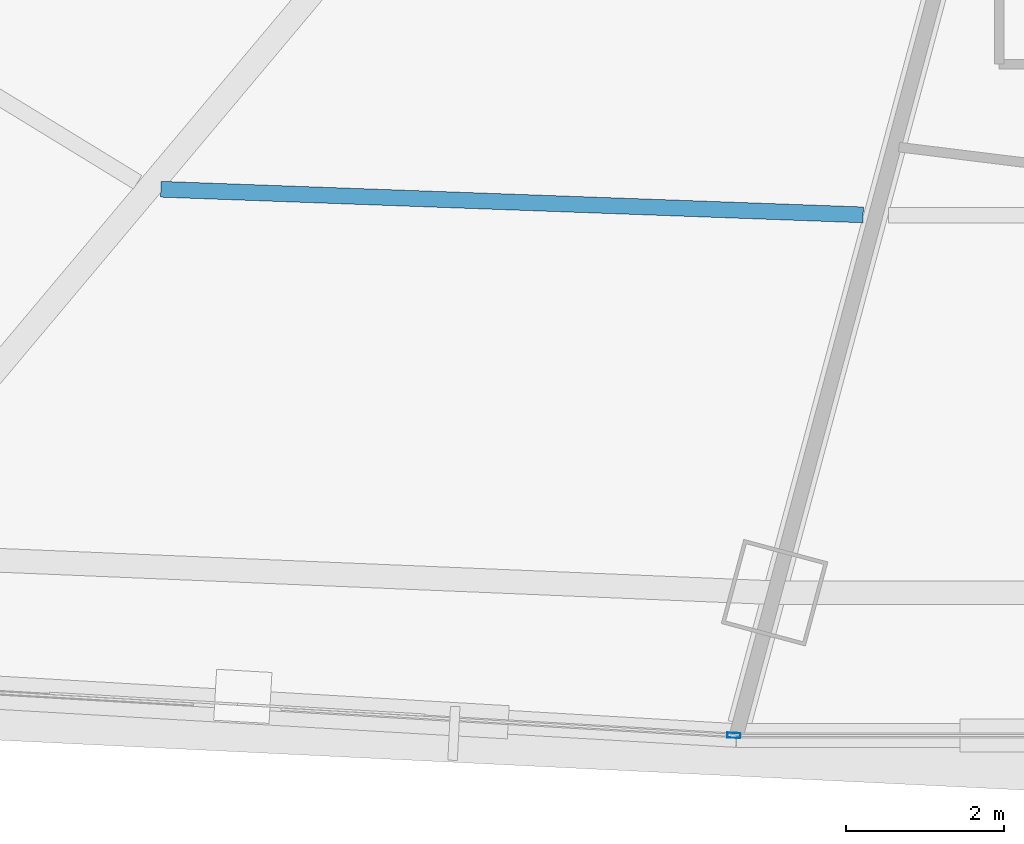
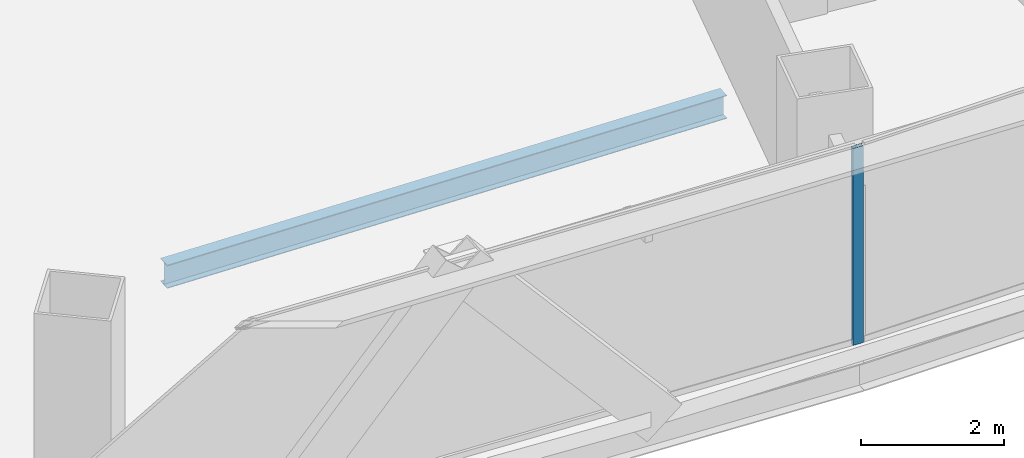
# One storey, part 8 of 38: 1 beam, 1 member, 1 element without a shape of its own.
"""IFC4 building model written with IfcOpenShell, lengths in metres."""

import ifcopenshell
import ifcopenshell.guid

model = None  # the IFC model being written
_history = None  # IfcOwnerHistory: only IFC2X3 demands one
_inside = {}  # id of a spatial element -> (the spatial element, [elements in it])
_under = {}  # id of a project, library or spatial element -> (it, [spatial elements below it])
_declared = {}  # id of a project -> (the project, [libraries it declares])
_typed = {}  # id of a type object -> (the type object, [elements of that type])
_made_of = {}  # id of a material, layer set ... -> (it, [elements and type objects made of it])


def new_model(schema):
    """Start an empty IFC model of exactly this schema.

    Asked for "IFC4X3", IfcOpenShell would pick the latest addendum, in which some entities
    have other attributes; the version numbers below select the first issue.
    IFC2X3 requires an IfcOwnerHistory on every rooted entity: one is made here for all.
    """
    global model, _history
    if schema == "IFC4X3":
        model = ifcopenshell.file(schema_version=(4, 3, 0, 0))
    else:
        model = ifcopenshell.file(schema=schema)
    _inside.clear()
    _under.clear()
    _declared.clear()
    _typed.clear()
    _made_of.clear()
    _history = None
    if model.schema == "IFC2X3":
        org = make("IfcOrganization", Name="unknown")
        user = make(
            "IfcPersonAndOrganization",
            ThePerson=make("IfcPerson", FamilyName="unknown"),
            TheOrganization=org,
        )
        app = make(
            "IfcApplication",
            ApplicationDeveloper=org,
            Version="unknown",
            ApplicationFullName="unknown",
            ApplicationIdentifier="unknown",
        )
        _history = make(
            "IfcOwnerHistory",
            OwningUser=user,
            OwningApplication=app,
            ChangeAction="ADDED",
            CreationDate=0,
        )
    return model


def make(cls, **values):
    """One entity of the class cls with the attributes given. An attribute that is None is left unset."""
    return model.create_entity(
        cls, **{name: value for name, value in values.items() if value is not None}
    )


def rooted(cls, **values):
    """An entity with a GlobalId (a new one), such as an element, a storey or a relation."""
    return make(cls, GlobalId=ifcopenshell.guid.new(), OwnerHistory=_history, **values)


def si_unit(unit_type, name, prefix=None):
    """IfcSIUnit, for example si_unit("LENGTHUNIT", "METRE", prefix="MILLI")."""
    return make("IfcSIUnit", UnitType=unit_type, Prefix=prefix, Name=name)


def assignment(units):
    """IfcUnitAssignment: the units of a project."""
    return None if units is None else make("IfcUnitAssignment", Units=units)


def point(xyz):
    """IfcCartesianPoint."""
    return None if xyz is None else make("IfcCartesianPoint", Coordinates=xyz)


def direction(xyz):
    """IfcDirection."""
    return None if xyz is None else make("IfcDirection", DirectionRatios=xyz)


def frame(location, z_axis=None, x_axis=None):
    """IfcAxis2Placement3D, a coordinate frame: its origin and axes. An axis left out is left unset."""
    return make(
        "IfcAxis2Placement3D",
        Location=point(location),
        Axis=direction(z_axis),
        RefDirection=direction(x_axis),
    )


def frame_2d(location, x_axis=None):
    """IfcAxis2Placement2D, a coordinate frame in the plane: its origin and x axis."""
    return make(
        "IfcAxis2Placement2D", Location=point(location), RefDirection=direction(x_axis)
    )


def origin():
    """The frame at (0, 0, 0) with its axes left unset."""
    return frame((0.0, 0.0, 0.0))


def origin_2d():
    """The frame at (0, 0) in the plane with its x axis left unset."""
    return frame_2d((0.0, 0.0))


def place(relative_to, where):
    """IfcLocalPlacement: puts the frame where relative to a parent placement (None: the world)."""
    return make(
        "IfcLocalPlacement", PlacementRelTo=relative_to, RelativePlacement=where
    )


def context(
    kind, dimensions, precision=None, world=None, true_north=None, identifier=None
):
    """IfcGeometricRepresentationContext, for example the 3D "Model" context."""
    return make(
        "IfcGeometricRepresentationContext",
        ContextIdentifier=identifier,
        ContextType=kind,
        CoordinateSpaceDimension=dimensions,
        Precision=precision,
        WorldCoordinateSystem=world,
        TrueNorth=true_north,
    )


def subcontext(parent, identifier, kind, view, scale=None):
    """IfcGeometricRepresentationSubContext, for example "Body" below "Model"."""
    return make(
        "IfcGeometricRepresentationSubContext",
        ContextIdentifier=identifier,
        ContextType=kind,
        ParentContext=parent,
        TargetScale=scale,
        TargetView=view,
    )


def project(units=None, contexts=None):
    """IfcProject with its units and contexts."""
    return rooted(
        "IfcProject",
        Name="project",
        RepresentationContexts=contexts,
        UnitsInContext=assignment(units),
    )


def spatial(cls, under=None, at=None, **own):
    """A site, building, storey or space (cls), placed at a placement, below another one or the project."""
    s = rooted(cls, ObjectPlacement=at, **own)
    if under is not None:
        _under.setdefault(under.id(), (under, []))[1].append(s)
    return s


def profile(cls, at=None, kind="AREA", **sizes):
    """A parametric profile (cls). Its sizes go by their IFC names, for example OverallWidth=200.0."""
    return make(cls, ProfileType=kind, Position=at, **sizes)


def hollow_rectangle(**sizes):
    """IfcRectangleHollowProfileDef."""
    return profile("IfcRectangleHollowProfileDef", **sizes)


def i_section(**sizes):
    """IfcIShapeProfileDef."""
    return profile("IfcIShapeProfileDef", **sizes)


def extrude(swept, where, along, depth):
    """IfcExtrudedAreaSolid: the profile swept, set in the frame where, extruded along a direction by depth."""
    return make(
        "IfcExtrudedAreaSolid",
        SweptArea=swept,
        Position=where,
        ExtrudedDirection=direction(along),
        Depth=depth,
    )


def shape(context_of_items, identifier, shape_type, items):
    """IfcShapeRepresentation: the items that make up one representation, for example the "Body"."""
    return make(
        "IfcShapeRepresentation",
        ContextOfItems=context_of_items,
        RepresentationIdentifier=identifier,
        RepresentationType=shape_type,
        Items=items,
    )


def source(mapping_origin, context_of_items, identifier, shape_type, items):
    """IfcRepresentationMap: a shape defined once, which mapped items show again and again."""
    return make(
        "IfcRepresentationMap",
        MappingOrigin=mapping_origin,
        MappedRepresentation=shape(context_of_items, identifier, shape_type, items),
    )


def transform(
    local_origin,
    x_axis=None,
    y_axis=None,
    z_axis=None,
    scale=None,
    scale2=None,
    scale3=None,
    uniform=True,
):
    """IfcCartesianTransformationOperator3D, or its non-uniform kind. x_axis, y_axis, z_axis: its Axis1, 2, 3."""
    if uniform:
        return make(
            "IfcCartesianTransformationOperator3D",
            Axis1=direction(x_axis),
            Axis2=direction(y_axis),
            LocalOrigin=point(local_origin),
            Scale=scale,
            Axis3=direction(z_axis),
        )
    return make(
        "IfcCartesianTransformationOperator3DnonUniform",
        Axis1=direction(x_axis),
        Axis2=direction(y_axis),
        LocalOrigin=point(local_origin),
        Scale=scale,
        Axis3=direction(z_axis),
        Scale2=scale2,
        Scale3=scale3,
    )


def mapped(mapping_source, mapping_target):
    """IfcMappedItem: shows the shape of a source again, moved by a transform."""
    return make(
        "IfcMappedItem", MappingSource=mapping_source, MappingTarget=mapping_target
    )


def material(Name=None, Category=None):
    """IfcMaterial."""
    return make("IfcMaterial", Name=Name, Category=Category)


def layer(
    of_material, thickness, ventilated=None, Name=None, Category=None, Priority=None
):
    """IfcMaterialLayer: one layer of a wall or slab, of a material (None: an air gap)."""
    return make(
        "IfcMaterialLayer",
        Material=of_material,
        LayerThickness=thickness,
        IsVentilated=ventilated,
        Name=Name,
        Category=Category,
        Priority=Priority,
    )


def layer_set(layers, Name=None):
    """IfcMaterialLayerSet."""
    return make("IfcMaterialLayerSet", MaterialLayers=layers, LayerSetName=Name)


def material_profile(
    of_material, cross_section, Name=None, Category=None, Priority=None
):
    """IfcMaterialProfile: a cross section and its material."""
    return make(
        "IfcMaterialProfile",
        Name=Name,
        Material=of_material,
        Profile=cross_section,
        Priority=Priority,
        Category=Category,
    )


def profile_set(profiles, Name=None, composite=None):
    """IfcMaterialProfileSet."""
    return make(
        "IfcMaterialProfileSet",
        Name=Name,
        MaterialProfiles=profiles,
        CompositeProfile=composite,
    )


def made_of(thing, what):
    """Note that an element or type object is made of a material, layer set ...; save() writes the relation."""
    if what is not None:
        _made_of.setdefault(what.id(), (what, []))[1].append(thing)
    return thing


def type_object(cls, material=None, **own):
    """A type object (cls), such as IfcWallType, which elements share."""
    return made_of(rooted(cls, **own), material)


def element(
    cls,
    number,
    at=None,
    inside=None,
    cuts=None,
    type_object=None,
    material=None,
    context=None,
    identifier="Body",
    shape_type=None,
    held_by="IfcProductDefinitionShape",
    body=None,
    shapes=None,
    **own,
):
    """One element of the class cls, such as IfcWall. Its Tag is "e" and its number.

    at: its placement. inside: the storey or other place that contains it. cuts: it is an
    opening in that element (IfcRelVoidsElement). A single representation is given by context,
    identifier, shape_type and body (its items); several are given by shapes. held_by: the class
    of the entity that holds the representations. save() writes the other relations.
    """
    e = rooted(cls, Tag="e%d" % number, ObjectPlacement=at, **own)
    if body is not None:
        shapes = [shape(context, identifier, shape_type, body)]
    if shapes is not None:
        e.Representation = make(held_by, Representations=shapes)
    if inside is not None:
        _inside.setdefault(inside.id(), (inside, []))[1].append(e)
    if cuts is not None:
        rooted(
            "IfcRelVoidsElement", RelatingBuildingElement=cuts, RelatedOpeningElement=e
        )
    if type_object is not None:
        _typed.setdefault(type_object.id(), (type_object, []))[1].append(e)
    return made_of(e, material)


def aggregate(whole, parts):
    """IfcRelAggregates: a whole, such as a stair, and the parts it consists of."""
    return rooted("IfcRelAggregates", RelatingObject=whole, RelatedObjects=parts)


def save(model, path):
    """Write the relations noted so far, then the file.

    IfcRelAggregates (storeys below a building ...), IfcRelContainedInSpatialStructure (elements
    in a storey), IfcRelDefinesByType, IfcRelAssociatesMaterial and IfcRelDeclares: one each for
    every whole, place, type object, material and project.
    """
    for whole, parts in _under.values():
        aggregate(whole, parts)
    for where, things in _inside.values():
        rooted(
            "IfcRelContainedInSpatialStructure",
            RelatedElements=things,
            RelatingStructure=where,
        )
    for kind, things in _typed.values():
        rooted("IfcRelDefinesByType", RelatedObjects=things, RelatingType=kind)
    for what, things in _made_of.values():
        rooted("IfcRelAssociatesMaterial", RelatedObjects=things, RelatingMaterial=what)
    for by, libraries in _declared.values():
        rooted("IfcRelDeclares", RelatingContext=by, RelatedDefinitions=libraries)
    model.write(path)


model = new_model("IFC4")

# Units and contexts
model_context = context("Model", 3, precision=1e-05, world=origin(), true_north=direction((0.0, 1.0)))
body_context = subcontext(model_context, "Body", "Model", "MODEL_VIEW")
ifc_project = project(units=[si_unit("LENGTHUNIT", "METRE"), si_unit("AREAUNIT", "SQUARE_METRE"), si_unit("VOLUMEUNIT", "CUBIC_METRE"), si_unit("PLANEANGLEUNIT", "RADIAN"), si_unit("MASSUNIT", "GRAM", prefix="KILO"), si_unit("THERMODYNAMICTEMPERATUREUNIT", "KELVIN"), si_unit("POWERUNIT", "WATT")], contexts=[model_context])

# Site, building, storey
site_placement = place(None, origin())
site = spatial("IfcSite", under=ifc_project, at=site_placement, CompositionType="ELEMENT")
building_placement = place(site_placement, origin())
building = spatial("IfcBuilding", under=site, at=building_placement, Name="Yunzhuo Pagoda Commons", CompositionType="ELEMENT")
storey_placement = place(building_placement, frame((0.0, 0.0, 37.659912109375)))
storey = spatial("IfcBuildingStorey", under=building, at=storey_placement, Name="L09", CompositionType="ELEMENT", Elevation=37.659912109375)

# Beam
ifc_material_1 = material(Name="Structural steel Q355B", Category="steel")
ifc_material_profile_1 = material_profile(ifc_material_1, i_section(OverallWidth=0.199951171875, OverallDepth=0.39990234375, WebThickness=0.008056640625, FlangeThickness=0.012939453125, at=origin_2d()), Name="Structural steel Q355B")
ifc_profile_set_1 = profile_set([ifc_material_profile_1], Name="Structural steel Q355B")
beam_type = type_object("IfcBeamType", Name="B-JS1 Joist HN 400x200x8x13", PredefinedType="JOIST", material=ifc_profile_set_1)
shared_shape_1 = source(origin(), body_context, "Body", "SweptSolid", [
    extrude(i_section(OverallWidth=0.199951171875, OverallDepth=0.39990234375, WebThickness=0.008056640625, FlangeThickness=0.012939453125, at=origin_2d()), origin(), (0.0, 0.0, 1.0), 8.876953125),
])
beam_placement = place(storey_placement, frame((34.527099609375, 17.448486328125, -0.4599609375), z_axis=(0.999335806416, -0.036440993601, 0.0), x_axis=(0.036440993601, 0.999335806416, 0.0)))
element("IfcBeam", 1, at=beam_placement, inside=storey, type_object=beam_type, Name="L09 composite ring joist 2.1", PredefinedType="JOIST", context=body_context, shape_type="MappedRepresentation", body=[
    mapped(shared_shape_1, transform((0.0, 0.0, 0.0), scale=1.0)),
])

# Curtain wall, member
ifc_material_2 = material(Name="Anodized aluminium 6063-T6", Category="aluminium")
ifc_layer = layer(ifc_material_2, 0.1650390625)
ifc_layer_set = layer_set([ifc_layer], Name="Anodized aluminium 6063-T6")
curtain_wall_type = type_object("IfcCurtainWallType", Name="CW-LOW Low-Zone Ribbon Curtain Wall", PredefinedType="NOTDEFINED", material=ifc_layer_set)
curtain_wall_placement = place(storey_placement, origin())
curtain_wall = element("IfcCurtainWall", 2, at=curtain_wall_placement, inside=storey, type_object=curtain_wall_type, Name="L09 curtain wall CW-L09-F1B2", PredefinedType="NOTDEFINED")
ifc_material_profile_2 = material_profile(ifc_material_2, hollow_rectangle(XDim=0.06494140625, YDim=0.1650390625, WallThickness=0.00390625, at=origin_2d()), Name="Anodized aluminium 6063-T6")
ifc_profile_set_2 = profile_set([ifc_material_profile_2], Name="Anodized aluminium 6063-T6")
member_type = type_object("IfcMemberType", Name="CW-LOW-M Mullion RHS 165x65x4", PredefinedType="MULLION", material=ifc_profile_set_2)
shared_shape_2 = source(origin(), body_context, "Body", "SweptSolid", [
    extrude(hollow_rectangle(XDim=0.06494140625, YDim=0.1650390625, WallThickness=0.00390625, at=origin_2d()), origin(), (0.0, 0.0, 1.0), 3.3701171875),
])
member_placement = place(storey_placement, frame((41.76416015625, 10.550048828125, 0.0), z_axis=(0.0, 0.0, 1.0), x_axis=(0.05789866519, 0.998322465223, 0.0)))
member = element("IfcMember", 3, at=member_placement, type_object=member_type, Name="CW mullion 2", PredefinedType="MULLION", context=body_context, shape_type="MappedRepresentation", body=[
    mapped(shared_shape_2, transform((0.0, 0.0, 0.0), scale=1.0)),
])
aggregate(curtain_wall, [member])

save(model, "model.ifc")
